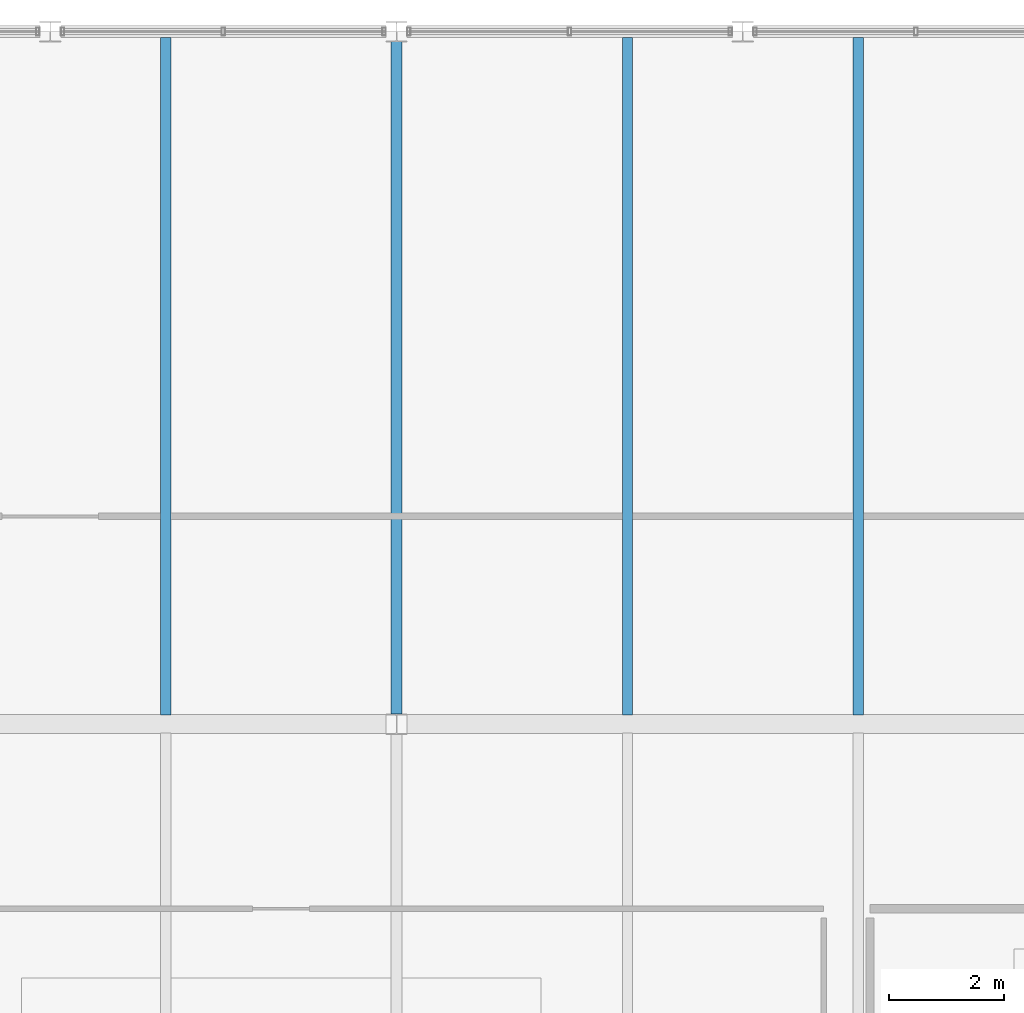
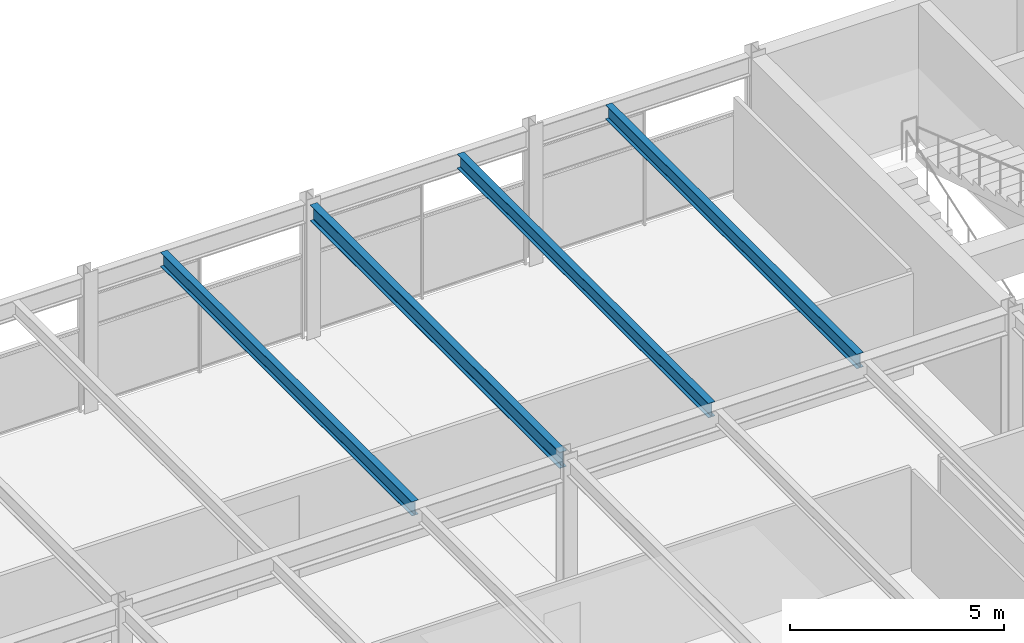
# One storey, part 20 of 32: 4 beams.
"""IFC4 building model written with IfcOpenShell, lengths in metres."""

import ifcopenshell
import ifcopenshell.guid

model = None  # the IFC model being written
_history = None  # IfcOwnerHistory: only IFC2X3 demands one
_inside = {}  # id of a spatial element -> (the spatial element, [elements in it])
_under = {}  # id of a project, library or spatial element -> (it, [spatial elements below it])
_declared = {}  # id of a project -> (the project, [libraries it declares])
_typed = {}  # id of a type object -> (the type object, [elements of that type])
_made_of = {}  # id of a material, layer set ... -> (it, [elements and type objects made of it])


def new_model(schema):
    """Start an empty IFC model of exactly this schema.

    Asked for "IFC4X3", IfcOpenShell would pick the latest addendum, in which some entities
    have other attributes; the version numbers below select the first issue.
    IFC2X3 requires an IfcOwnerHistory on every rooted entity: one is made here for all.
    """
    global model, _history
    if schema == "IFC4X3":
        model = ifcopenshell.file(schema_version=(4, 3, 0, 0))
    else:
        model = ifcopenshell.file(schema=schema)
    _inside.clear()
    _under.clear()
    _declared.clear()
    _typed.clear()
    _made_of.clear()
    _history = None
    if model.schema == "IFC2X3":
        org = make("IfcOrganization", Name="unknown")
        user = make(
            "IfcPersonAndOrganization",
            ThePerson=make("IfcPerson", FamilyName="unknown"),
            TheOrganization=org,
        )
        app = make(
            "IfcApplication",
            ApplicationDeveloper=org,
            Version="unknown",
            ApplicationFullName="unknown",
            ApplicationIdentifier="unknown",
        )
        _history = make(
            "IfcOwnerHistory",
            OwningUser=user,
            OwningApplication=app,
            ChangeAction="ADDED",
            CreationDate=0,
        )
    return model


def make(cls, **values):
    """One entity of the class cls with the attributes given. An attribute that is None is left unset."""
    return model.create_entity(
        cls, **{name: value for name, value in values.items() if value is not None}
    )


def rooted(cls, **values):
    """An entity with a GlobalId (a new one), such as an element, a storey or a relation."""
    return make(cls, GlobalId=ifcopenshell.guid.new(), OwnerHistory=_history, **values)


def si_unit(unit_type, name, prefix=None):
    """IfcSIUnit, for example si_unit("LENGTHUNIT", "METRE", prefix="MILLI")."""
    return make("IfcSIUnit", UnitType=unit_type, Prefix=prefix, Name=name)


def assignment(units):
    """IfcUnitAssignment: the units of a project."""
    return None if units is None else make("IfcUnitAssignment", Units=units)


def point(xyz):
    """IfcCartesianPoint."""
    return None if xyz is None else make("IfcCartesianPoint", Coordinates=xyz)


def direction(xyz):
    """IfcDirection."""
    return None if xyz is None else make("IfcDirection", DirectionRatios=xyz)


def frame(location, z_axis=None, x_axis=None):
    """IfcAxis2Placement3D, a coordinate frame: its origin and axes. An axis left out is left unset."""
    return make(
        "IfcAxis2Placement3D",
        Location=point(location),
        Axis=direction(z_axis),
        RefDirection=direction(x_axis),
    )


def frame_2d(location, x_axis=None):
    """IfcAxis2Placement2D, a coordinate frame in the plane: its origin and x axis."""
    return make(
        "IfcAxis2Placement2D", Location=point(location), RefDirection=direction(x_axis)
    )


def origin():
    """The frame at (0, 0, 0) with its axes left unset."""
    return frame((0.0, 0.0, 0.0))


def origin_2d():
    """The frame at (0, 0) in the plane with its x axis left unset."""
    return frame_2d((0.0, 0.0))


def place(relative_to, where):
    """IfcLocalPlacement: puts the frame where relative to a parent placement (None: the world)."""
    return make(
        "IfcLocalPlacement", PlacementRelTo=relative_to, RelativePlacement=where
    )


def context(
    kind, dimensions, precision=None, world=None, true_north=None, identifier=None
):
    """IfcGeometricRepresentationContext, for example the 3D "Model" context."""
    return make(
        "IfcGeometricRepresentationContext",
        ContextIdentifier=identifier,
        ContextType=kind,
        CoordinateSpaceDimension=dimensions,
        Precision=precision,
        WorldCoordinateSystem=world,
        TrueNorth=true_north,
    )


def subcontext(parent, identifier, kind, view, scale=None):
    """IfcGeometricRepresentationSubContext, for example "Body" below "Model"."""
    return make(
        "IfcGeometricRepresentationSubContext",
        ContextIdentifier=identifier,
        ContextType=kind,
        ParentContext=parent,
        TargetScale=scale,
        TargetView=view,
    )


def project(units=None, contexts=None):
    """IfcProject with its units and contexts."""
    return rooted(
        "IfcProject",
        Name="project",
        RepresentationContexts=contexts,
        UnitsInContext=assignment(units),
    )


def spatial(cls, under=None, at=None, **own):
    """A site, building, storey or space (cls), placed at a placement, below another one or the project."""
    s = rooted(cls, ObjectPlacement=at, **own)
    if under is not None:
        _under.setdefault(under.id(), (under, []))[1].append(s)
    return s


def profile(cls, at=None, kind="AREA", **sizes):
    """A parametric profile (cls). Its sizes go by their IFC names, for example OverallWidth=200.0."""
    return make(cls, ProfileType=kind, Position=at, **sizes)


def i_section(**sizes):
    """IfcIShapeProfileDef."""
    return profile("IfcIShapeProfileDef", **sizes)


def extrude(swept, where, along, depth):
    """IfcExtrudedAreaSolid: the profile swept, set in the frame where, extruded along a direction by depth."""
    return make(
        "IfcExtrudedAreaSolid",
        SweptArea=swept,
        Position=where,
        ExtrudedDirection=direction(along),
        Depth=depth,
    )


def shape(context_of_items, identifier, shape_type, items):
    """IfcShapeRepresentation: the items that make up one representation, for example the "Body"."""
    return make(
        "IfcShapeRepresentation",
        ContextOfItems=context_of_items,
        RepresentationIdentifier=identifier,
        RepresentationType=shape_type,
        Items=items,
    )


def material(Name=None, Category=None):
    """IfcMaterial."""
    return make("IfcMaterial", Name=Name, Category=Category)


def material_profile(
    of_material, cross_section, Name=None, Category=None, Priority=None
):
    """IfcMaterialProfile: a cross section and its material."""
    return make(
        "IfcMaterialProfile",
        Name=Name,
        Material=of_material,
        Profile=cross_section,
        Priority=Priority,
        Category=Category,
    )


def profile_set(profiles, Name=None, composite=None):
    """IfcMaterialProfileSet."""
    return make(
        "IfcMaterialProfileSet",
        Name=Name,
        MaterialProfiles=profiles,
        CompositeProfile=composite,
    )


def made_of(thing, what):
    """Note that an element or type object is made of a material, layer set ...; save() writes the relation."""
    if what is not None:
        _made_of.setdefault(what.id(), (what, []))[1].append(thing)
    return thing


def type_object(cls, material=None, **own):
    """A type object (cls), such as IfcWallType, which elements share."""
    return made_of(rooted(cls, **own), material)


def element(
    cls,
    number,
    at=None,
    inside=None,
    cuts=None,
    type_object=None,
    material=None,
    context=None,
    identifier="Body",
    shape_type=None,
    held_by="IfcProductDefinitionShape",
    body=None,
    shapes=None,
    **own,
):
    """One element of the class cls, such as IfcWall. Its Tag is "e" and its number.

    at: its placement. inside: the storey or other place that contains it. cuts: it is an
    opening in that element (IfcRelVoidsElement). A single representation is given by context,
    identifier, shape_type and body (its items); several are given by shapes. held_by: the class
    of the entity that holds the representations. save() writes the other relations.
    """
    e = rooted(cls, Tag="e%d" % number, ObjectPlacement=at, **own)
    if body is not None:
        shapes = [shape(context, identifier, shape_type, body)]
    if shapes is not None:
        e.Representation = make(held_by, Representations=shapes)
    if inside is not None:
        _inside.setdefault(inside.id(), (inside, []))[1].append(e)
    if cuts is not None:
        rooted(
            "IfcRelVoidsElement", RelatingBuildingElement=cuts, RelatedOpeningElement=e
        )
    if type_object is not None:
        _typed.setdefault(type_object.id(), (type_object, []))[1].append(e)
    return made_of(e, material)


def aggregate(whole, parts):
    """IfcRelAggregates: a whole, such as a stair, and the parts it consists of."""
    return rooted("IfcRelAggregates", RelatingObject=whole, RelatedObjects=parts)


def save(model, path):
    """Write the relations noted so far, then the file.

    IfcRelAggregates (storeys below a building ...), IfcRelContainedInSpatialStructure (elements
    in a storey), IfcRelDefinesByType, IfcRelAssociatesMaterial and IfcRelDeclares: one each for
    every whole, place, type object, material and project.
    """
    for whole, parts in _under.values():
        aggregate(whole, parts)
    for where, things in _inside.values():
        rooted(
            "IfcRelContainedInSpatialStructure",
            RelatedElements=things,
            RelatingStructure=where,
        )
    for kind, things in _typed.values():
        rooted("IfcRelDefinesByType", RelatedObjects=things, RelatingType=kind)
    for what, things in _made_of.values():
        rooted("IfcRelAssociatesMaterial", RelatedObjects=things, RelatingMaterial=what)
    for by, libraries in _declared.values():
        rooted("IfcRelDeclares", RelatingContext=by, RelatedDefinitions=libraries)
    model.write(path)


model = new_model("IFC4")

# Units and contexts
model_context = context("Model", 3, precision=1e-05, world=origin(), true_north=direction((0.0, 1.0)))
body_context = subcontext(model_context, "Body", "Model", "MODEL_VIEW")
ifc_project = project(units=[si_unit("LENGTHUNIT", "METRE"), si_unit("AREAUNIT", "SQUARE_METRE"), si_unit("VOLUMEUNIT", "CUBIC_METRE"), si_unit("PLANEANGLEUNIT", "RADIAN"), si_unit("MASSUNIT", "GRAM", prefix="KILO")], contexts=[model_context])

# Site, building, storey
site_placement = place(None, origin())
site = spatial("IfcSite", under=ifc_project, at=site_placement, CompositionType="ELEMENT")
building_placement = place(site_placement, origin())
building = spatial("IfcBuilding", under=site, at=building_placement, Name="Girod Span Mobility Hub", CompositionType="ELEMENT")
storey_placement = place(building_placement, frame((0.0, 0.0, 61.60009765625)))
storey = spatial("IfcBuildingStorey", under=building, at=storey_placement, Name="L15", CompositionType="ELEMENT", Elevation=61.60009765625)

# Beams
ifc_material_1 = material(Name="Steel A992 Grade 50", Category="steel")
ifc_material_profile_1 = material_profile(ifc_material_1, i_section(OverallWidth=0.178955078125, OverallDepth=0.409912109375, WebThickness=0.0087890625, FlangeThickness=0.014404296875, FilletRadius=0.012939453125, at=origin_2d()), Name="W16X45")
ifc_profile_set_1 = profile_set([ifc_material_profile_1], Name="Steel A992 Grade 50")
beam_type_1 = type_object("IfcBeamType", Name="BM-STL-W16X45", PredefinedType="BEAM", material=ifc_profile_set_1)
for number, where, z_axis, x_axis, name in (
    (1, (92.0, 57.158935546875, 3.635009765625), (0.0, 1.0, 0.0), (-1.0, 0.0, 0.0), "Composite Floorbeam 8/E-2 L15"),
    (2, (100.0, 57.158935546875, 3.635009765625), (0.0, 1.0, 0.0), (-1.0, 0.0, 0.0), "Composite Floorbeam 9/E-1 L15"),
    (3, (104.0, 57.158935546875, 3.635009765625), (0.0, 1.0, 0.0), (-1.0, 0.0, 0.0), "Composite Floorbeam 9/E-2 L15"),
):
    element("IfcBeam", number, at=place(storey_placement, frame(where, z_axis=z_axis, x_axis=x_axis)), inside=storey, type_object=beam_type_1, Name=name, PredefinedType="BEAM", context=body_context, shape_type="SweptSolid", body=[
        extrude(i_section(OverallWidth=0.178955078125, OverallDepth=0.409912109375, WebThickness=0.0087890625, FlangeThickness=0.014404296875, FilletRadius=0.012939453125, at=origin_2d()), origin(), (0.0, 0.0, 1.0), 11.738037109375),
    ])
ifc_material_2 = material(Name="Steel A992 Grade 50", Category="steel")
ifc_material_profile_2 = material_profile(ifc_material_2, i_section(OverallWidth=0.19189453125, OverallDepth=0.462890625, WebThickness=0.010498046875, FlangeThickness=0.017578125, FilletRadius=0.013916015625, at=origin_2d()), Name="W18X60")
ifc_profile_set_2 = profile_set([ifc_material_profile_2], Name="Steel A992 Grade 50")
beam_type_2 = type_object("IfcBeamType", Name="BM-STL-W18X60", PredefinedType="BEAM", material=ifc_profile_set_2)
beam_placement = place(storey_placement, frame((96.0, 57.175048828125, 3.6083984375), z_axis=(0.0, 1.0, 0.0), x_axis=(-1.0, 0.0, 0.0)))
element("IfcBeam", 4, at=beam_placement, inside=storey, type_object=beam_type_2, Name="Tie Girder 9/E-F L15", PredefinedType="BEAM", context=body_context, shape_type="SweptSolid", body=[
    extrude(i_section(OverallWidth=0.19189453125, OverallDepth=0.462890625, WebThickness=0.010498046875, FlangeThickness=0.017578125, FilletRadius=0.013916015625, at=origin_2d()), origin(), (0.0, 0.0, 1.0), 11.64990234375),
])

save(model, "model.ifc")
